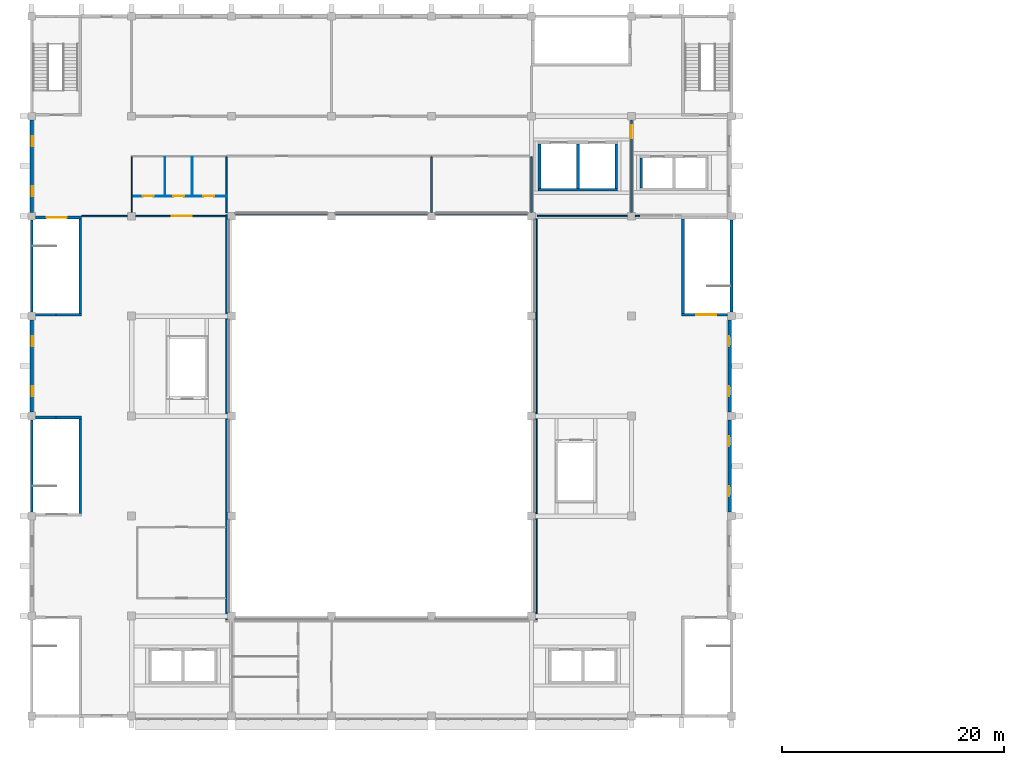
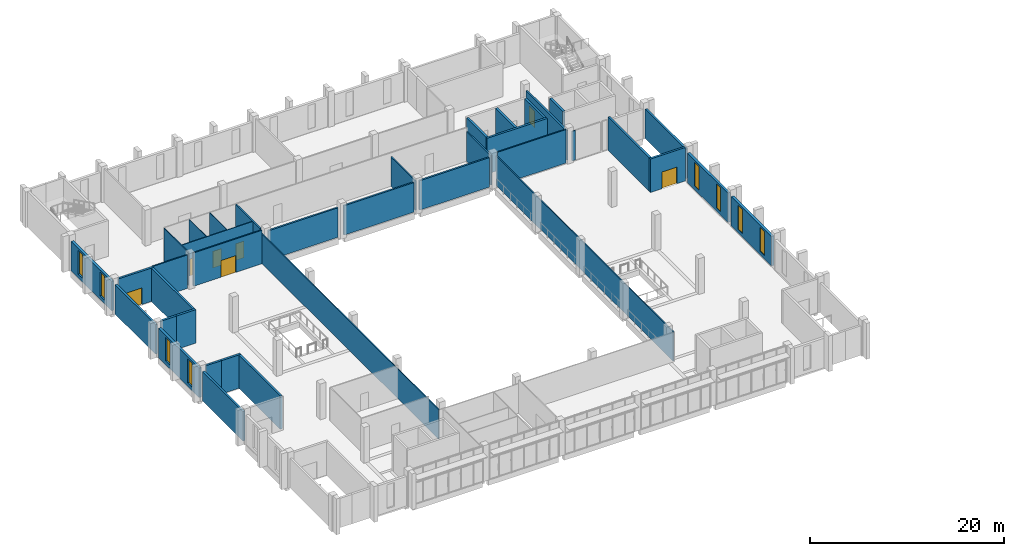
# One storey, part 25 of 40: 38 walls, 8 windows, 7 doors, 15 openings.
"""IFC4 building model written with IfcOpenShell, lengths in metres."""

import ifcopenshell
import ifcopenshell.guid

model = None  # the IFC model being written
_history = None  # IfcOwnerHistory: only IFC2X3 demands one
_inside = {}  # id of a spatial element -> (the spatial element, [elements in it])
_under = {}  # id of a project, library or spatial element -> (it, [spatial elements below it])
_declared = {}  # id of a project -> (the project, [libraries it declares])
_typed = {}  # id of a type object -> (the type object, [elements of that type])
_made_of = {}  # id of a material, layer set ... -> (it, [elements and type objects made of it])


def new_model(schema):
    """Start an empty IFC model of exactly this schema.

    Asked for "IFC4X3", IfcOpenShell would pick the latest addendum, in which some entities
    have other attributes; the version numbers below select the first issue.
    IFC2X3 requires an IfcOwnerHistory on every rooted entity: one is made here for all.
    """
    global model, _history
    if schema == "IFC4X3":
        model = ifcopenshell.file(schema_version=(4, 3, 0, 0))
    else:
        model = ifcopenshell.file(schema=schema)
    _inside.clear()
    _under.clear()
    _declared.clear()
    _typed.clear()
    _made_of.clear()
    _history = None
    if model.schema == "IFC2X3":
        org = make("IfcOrganization", Name="unknown")
        user = make(
            "IfcPersonAndOrganization",
            ThePerson=make("IfcPerson", FamilyName="unknown"),
            TheOrganization=org,
        )
        app = make(
            "IfcApplication",
            ApplicationDeveloper=org,
            Version="unknown",
            ApplicationFullName="unknown",
            ApplicationIdentifier="unknown",
        )
        _history = make(
            "IfcOwnerHistory",
            OwningUser=user,
            OwningApplication=app,
            ChangeAction="ADDED",
            CreationDate=0,
        )
    return model


def make(cls, **values):
    """One entity of the class cls with the attributes given. An attribute that is None is left unset."""
    return model.create_entity(
        cls, **{name: value for name, value in values.items() if value is not None}
    )


def rooted(cls, **values):
    """An entity with a GlobalId (a new one), such as an element, a storey or a relation."""
    return make(cls, GlobalId=ifcopenshell.guid.new(), OwnerHistory=_history, **values)


def si_unit(unit_type, name, prefix=None):
    """IfcSIUnit, for example si_unit("LENGTHUNIT", "METRE", prefix="MILLI")."""
    return make("IfcSIUnit", UnitType=unit_type, Prefix=prefix, Name=name)


def assignment(units):
    """IfcUnitAssignment: the units of a project."""
    return None if units is None else make("IfcUnitAssignment", Units=units)


def point(xyz):
    """IfcCartesianPoint."""
    return None if xyz is None else make("IfcCartesianPoint", Coordinates=xyz)


def direction(xyz):
    """IfcDirection."""
    return None if xyz is None else make("IfcDirection", DirectionRatios=xyz)


def frame(location, z_axis=None, x_axis=None):
    """IfcAxis2Placement3D, a coordinate frame: its origin and axes. An axis left out is left unset."""
    return make(
        "IfcAxis2Placement3D",
        Location=point(location),
        Axis=direction(z_axis),
        RefDirection=direction(x_axis),
    )


def frame_2d(location, x_axis=None):
    """IfcAxis2Placement2D, a coordinate frame in the plane: its origin and x axis."""
    return make(
        "IfcAxis2Placement2D", Location=point(location), RefDirection=direction(x_axis)
    )


def origin():
    """The frame at (0, 0, 0) with its axes left unset."""
    return frame((0.0, 0.0, 0.0))


def place(relative_to, where):
    """IfcLocalPlacement: puts the frame where relative to a parent placement (None: the world)."""
    return make(
        "IfcLocalPlacement", PlacementRelTo=relative_to, RelativePlacement=where
    )


def context(
    kind, dimensions, precision=None, world=None, true_north=None, identifier=None
):
    """IfcGeometricRepresentationContext, for example the 3D "Model" context."""
    return make(
        "IfcGeometricRepresentationContext",
        ContextIdentifier=identifier,
        ContextType=kind,
        CoordinateSpaceDimension=dimensions,
        Precision=precision,
        WorldCoordinateSystem=world,
        TrueNorth=true_north,
    )


def subcontext(parent, identifier, kind, view, scale=None):
    """IfcGeometricRepresentationSubContext, for example "Body" below "Model"."""
    return make(
        "IfcGeometricRepresentationSubContext",
        ContextIdentifier=identifier,
        ContextType=kind,
        ParentContext=parent,
        TargetScale=scale,
        TargetView=view,
    )


def project(units=None, contexts=None):
    """IfcProject with its units and contexts."""
    return rooted(
        "IfcProject",
        Name="project",
        RepresentationContexts=contexts,
        UnitsInContext=assignment(units),
    )


def spatial(cls, under=None, at=None, **own):
    """A site, building, storey or space (cls), placed at a placement, below another one or the project."""
    s = rooted(cls, ObjectPlacement=at, **own)
    if under is not None:
        _under.setdefault(under.id(), (under, []))[1].append(s)
    return s


def profile(cls, at=None, kind="AREA", **sizes):
    """A parametric profile (cls). Its sizes go by their IFC names, for example OverallWidth=200.0."""
    return make(cls, ProfileType=kind, Position=at, **sizes)


def rectangle(**sizes):
    """IfcRectangleProfileDef."""
    return profile("IfcRectangleProfileDef", **sizes)


def extrude(swept, where, along, depth):
    """IfcExtrudedAreaSolid: the profile swept, set in the frame where, extruded along a direction by depth."""
    return make(
        "IfcExtrudedAreaSolid",
        SweptArea=swept,
        Position=where,
        ExtrudedDirection=direction(along),
        Depth=depth,
    )


def shape(context_of_items, identifier, shape_type, items):
    """IfcShapeRepresentation: the items that make up one representation, for example the "Body"."""
    return make(
        "IfcShapeRepresentation",
        ContextOfItems=context_of_items,
        RepresentationIdentifier=identifier,
        RepresentationType=shape_type,
        Items=items,
    )


def material(Name=None, Category=None):
    """IfcMaterial."""
    return make("IfcMaterial", Name=Name, Category=Category)


def layer(
    of_material, thickness, ventilated=None, Name=None, Category=None, Priority=None
):
    """IfcMaterialLayer: one layer of a wall or slab, of a material (None: an air gap)."""
    return make(
        "IfcMaterialLayer",
        Material=of_material,
        LayerThickness=thickness,
        IsVentilated=ventilated,
        Name=Name,
        Category=Category,
        Priority=Priority,
    )


def layer_set(layers, Name=None):
    """IfcMaterialLayerSet."""
    return make("IfcMaterialLayerSet", MaterialLayers=layers, LayerSetName=Name)


def made_of(thing, what):
    """Note that an element or type object is made of a material, layer set ...; save() writes the relation."""
    if what is not None:
        _made_of.setdefault(what.id(), (what, []))[1].append(thing)
    return thing


def type_object(cls, material=None, **own):
    """A type object (cls), such as IfcWallType, which elements share."""
    return made_of(rooted(cls, **own), material)


def element(
    cls,
    number,
    at=None,
    inside=None,
    cuts=None,
    type_object=None,
    material=None,
    context=None,
    identifier="Body",
    shape_type=None,
    held_by="IfcProductDefinitionShape",
    body=None,
    shapes=None,
    **own,
):
    """One element of the class cls, such as IfcWall. Its Tag is "e" and its number.

    at: its placement. inside: the storey or other place that contains it. cuts: it is an
    opening in that element (IfcRelVoidsElement). A single representation is given by context,
    identifier, shape_type and body (its items); several are given by shapes. held_by: the class
    of the entity that holds the representations. save() writes the other relations.
    """
    e = rooted(cls, Tag="e%d" % number, ObjectPlacement=at, **own)
    if body is not None:
        shapes = [shape(context, identifier, shape_type, body)]
    if shapes is not None:
        e.Representation = make(held_by, Representations=shapes)
    if inside is not None:
        _inside.setdefault(inside.id(), (inside, []))[1].append(e)
    if cuts is not None:
        rooted(
            "IfcRelVoidsElement", RelatingBuildingElement=cuts, RelatedOpeningElement=e
        )
    if type_object is not None:
        _typed.setdefault(type_object.id(), (type_object, []))[1].append(e)
    return made_of(e, material)


def fill(opening, filler):
    """IfcRelFillsElement: the door or window that sits in an opening."""
    return rooted(
        "IfcRelFillsElement",
        RelatingOpeningElement=opening,
        RelatedBuildingElement=filler,
    )


def aggregate(whole, parts):
    """IfcRelAggregates: a whole, such as a stair, and the parts it consists of."""
    return rooted("IfcRelAggregates", RelatingObject=whole, RelatedObjects=parts)


def save(model, path):
    """Write the relations noted so far, then the file.

    IfcRelAggregates (storeys below a building ...), IfcRelContainedInSpatialStructure (elements
    in a storey), IfcRelDefinesByType, IfcRelAssociatesMaterial and IfcRelDeclares: one each for
    every whole, place, type object, material and project.
    """
    for whole, parts in _under.values():
        aggregate(whole, parts)
    for where, things in _inside.values():
        rooted(
            "IfcRelContainedInSpatialStructure",
            RelatedElements=things,
            RelatingStructure=where,
        )
    for kind, things in _typed.values():
        rooted("IfcRelDefinesByType", RelatedObjects=things, RelatingType=kind)
    for what, things in _made_of.values():
        rooted("IfcRelAssociatesMaterial", RelatedObjects=things, RelatingMaterial=what)
    for by, libraries in _declared.values():
        rooted("IfcRelDeclares", RelatingContext=by, RelatedDefinitions=libraries)
    model.write(path)


model = new_model("IFC4")

# Units and contexts
model_context = context("Model", 3, precision=1e-05, world=origin(), true_north=direction((0.0, 1.0)))
body_context = subcontext(model_context, "Body", "Model", "MODEL_VIEW")
ifc_project = project(units=[si_unit("LENGTHUNIT", "METRE"), si_unit("AREAUNIT", "SQUARE_METRE"), si_unit("VOLUMEUNIT", "CUBIC_METRE"), si_unit("PLANEANGLEUNIT", "RADIAN"), si_unit("MASSUNIT", "GRAM", prefix="KILO")], contexts=[model_context])

# Site, building, storey
site_placement = place(None, origin())
site = spatial("IfcSite", under=ifc_project, at=site_placement, CompositionType="ELEMENT")
building_placement = place(site_placement, origin())
building = spatial("IfcBuilding", under=site, at=building_placement, Name="Guidao Yard Department Store", CompositionType="ELEMENT")
storey_placement = place(building_placement, frame((0.0, 0.0, 24.0)))
storey = spatial("IfcBuildingStorey", under=building, at=storey_placement, Name="L05", CompositionType="ELEMENT", Elevation=24.0)

# Wall, openings, doors
ifc_material_1 = material(Name="Moisture-resistant board on Steel Q235 studs", Category="steel")
ifc_layer_1 = layer(ifc_material_1, 0.080078125)
ifc_layer_set_1 = layer_set([ifc_layer_1], Name="Cubicle and Duct Partition P8 80 mm moisture-resistant board")
wall_type_1 = type_object("IfcWallType", Name="Cubicle and Duct Partition P8 80 mm moisture-resistant board", PredefinedType="PARTITIONING", material=ifc_layer_set_1)
wall_1_placement = place(storey_placement, frame((9.050048828125, 91.800048828125, 0.0), z_axis=(0.0, 0.0, 1.0), x_axis=(1.0, 0.0, 0.0)))
wall_1 = element("IfcWall", 1, at=wall_1_placement, inside=storey, type_object=wall_type_1, Name="Wall W-HL05-026", PredefinedType="PARTITIONING", context=body_context, shape_type="SweptSolid", body=[
    extrude(rectangle(XDim=8.425048828125, YDim=0.080078125, at=frame_2d((4.21240234375, 0.0))), origin(), (0.0, 0.0, 1.0), 4.199951171875),
])
opening_1_placement = place(wall_1_placement, frame((0.949951171875, 0.0, 0.0)))
opening_1 = element("IfcOpeningElement", 2, at=opening_1_placement, cuts=wall_1, Name="Opening HL05-008", PredefinedType="OPENING", context=body_context, shape_type="SweptSolid", body=[
    extrude(rectangle(XDim=1.0, YDim=2.10009765625, at=frame_2d((0.5, 1.050048828125))), frame((0.0, 0.050048828125, 0.0), z_axis=(0.0, -1.0, 0.0), x_axis=(1.0, 0.0, 0.0)), (0.0, 0.0, 1.0), 0.10009765625),
])
opening_2_placement = place(wall_1_placement, frame((3.675048828125, 0.0, 0.0)))
opening_2 = element("IfcOpeningElement", 3, at=opening_2_placement, cuts=wall_1, Name="Opening HL05-009", PredefinedType="OPENING", context=body_context, shape_type="SweptSolid", body=[
    extrude(rectangle(XDim=1.0, YDim=2.10009765625, at=frame_2d((0.5, 1.050048828125))), frame((0.0, 0.050048828125, 0.0), z_axis=(0.0, -1.0, 0.0), x_axis=(1.0, 0.0, 0.0)), (0.0, 0.0, 1.0), 0.10009765625),
])
opening_3_placement = place(wall_1_placement, frame((6.39990234375, 0.0, 0.0)))
opening_3 = element("IfcOpeningElement", 4, at=opening_3_placement, cuts=wall_1, Name="Opening HL05-010", PredefinedType="OPENING", context=body_context, shape_type="SweptSolid", body=[
    extrude(rectangle(XDim=1.0, YDim=2.10009765625, at=frame_2d((0.5, 1.050048828125))), frame((0.0, 0.050048828125, 0.0), z_axis=(0.0, -1.0, 0.0), x_axis=(1.0, 0.0, 0.0)), (0.0, 0.0, 1.0), 0.10009765625),
])
ifc_material_2 = material(Name="Timber door leaf", Category="wood")
door_type_1 = type_object("IfcDoorType", Name="Door AD10 accessible WC 1000 x 2100", OperationType="SINGLE_SWING_LEFT", PredefinedType="DOOR", material=ifc_material_2)
door_1_placement = place(opening_2_placement, origin())
door_1 = element("IfcDoor", 5, at=door_1_placement, inside=storey, type_object=door_type_1, Name="Door HL05-009", OperationType="SINGLE_SWING_LEFT", OverallHeight=2.10009765625, OverallWidth=1.0, PredefinedType="DOOR", context=body_context, shape_type="SweptSolid", body=[
    extrude(rectangle(XDim=1.0, YDim=2.10009765625, at=frame_2d((0.5, 1.050048828125))), frame((0.0, 0.02490234375, 0.0), z_axis=(0.0, -1.0, 0.0), x_axis=(1.0, 0.0, 0.0)), (0.0, 0.0, 1.0), 0.050048828125),
])
fill(opening_2, door_1)
ifc_material_3 = material(Name="Timber door leaf", Category="wood")
door_type_2 = type_object("IfcDoorType", Name="Door D2 1000 x 2100", OperationType="SINGLE_SWING_LEFT", PredefinedType="DOOR", material=ifc_material_3)
door_2_placement = place(opening_1_placement, origin())
door_2 = element("IfcDoor", 6, at=door_2_placement, inside=storey, type_object=door_type_2, Name="Door HL05-008", OperationType="SINGLE_SWING_LEFT", OverallHeight=2.10009765625, OverallWidth=1.0, PredefinedType="DOOR", context=body_context, shape_type="SweptSolid", body=[
    extrude(rectangle(XDim=1.0, YDim=2.10009765625, at=frame_2d((0.5, 1.050048828125))), frame((0.0, 0.02490234375, 0.0), z_axis=(0.0, -1.0, 0.0), x_axis=(1.0, 0.0, 0.0)), (0.0, 0.0, 1.0), 0.050048828125),
])
fill(opening_1, door_2)
door_3_placement = place(opening_3_placement, origin())
door_3 = element("IfcDoor", 7, at=door_3_placement, inside=storey, type_object=door_type_2, Name="Door HL05-010", OperationType="SINGLE_SWING_RIGHT", OverallHeight=2.10009765625, OverallWidth=1.0, PredefinedType="DOOR", context=body_context, shape_type="SweptSolid", body=[
    extrude(rectangle(XDim=1.0, YDim=2.10009765625, at=frame_2d((0.5, 1.050048828125))), frame((0.0, 0.02490234375, 0.0), z_axis=(0.0, -1.0, 0.0), x_axis=(1.0, 0.0, 0.0)), (0.0, 0.0, 1.0), 0.050048828125),
])
fill(opening_3, door_3)

# Walls
for number, where, z_axis, x_axis, name in (
    (8, (12.0, 91.840087890625, 0.0), (0.0, 0.0, 1.0), (0.0, 1.0, 0.0), "Wall W-HL05-027"),
    (9, (14.449951171875, 91.840087890625, 0.0), (0.0, 0.0, 1.0), (0.0, 1.0, 0.0), "Wall W-HL05-028"),
):
    element("IfcWall", number, at=place(storey_placement, frame(where, z_axis=z_axis, x_axis=x_axis)), inside=storey, type_object=wall_type_1, Name=name, PredefinedType="PARTITIONING", context=body_context, shape_type="SweptSolid", body=[
        extrude(rectangle(XDim=3.510009765625, YDim=0.080078125, at=frame_2d((1.7548828125, 0.0))), origin(), (0.0, 0.0, 1.0), 4.199951171875),
    ])
ifc_material_4 = material(Name="Concrete block MU10", Category="concrete")
ifc_layer_2 = layer(ifc_material_4, 0.199951171875)
ifc_layer_set_2 = layer_set([ifc_layer_2], Name="Fire Wall P3 200 mm blockwork EI 120")
wall_type_2 = type_object("IfcWallType", Name="Fire Wall P3 200 mm blockwork EI 120", PredefinedType="PARTITIONING", material=ifc_layer_set_2)
for number, where, z_axis, x_axis, name in (
    (10, (18.35009765625, 90.22509765625, 0.0), (0.0, 0.0, 1.0), (1.0, 0.0, 0.0), "Wall W-HL05-018"),
    (11, (27.35009765625, 90.22509765625, 0.0), (0.0, 0.0, 1.0), (1.0, 0.0, 0.0), "Wall W-HL05-019"),
    (12, (36.35009765625, 90.22509765625, 0.0), (0.0, 0.0, 1.0), (1.0, 0.0, 0.0), "Wall W-HL05-020"),
):
    element("IfcWall", number, at=place(storey_placement, frame(where, z_axis=z_axis, x_axis=x_axis)), inside=storey, type_object=wall_type_2, Name=name, PredefinedType="PARTITIONING", context=body_context, shape_type="SweptSolid", body=[
        extrude(rectangle(XDim=8.2998046875, YDim=0.199951171875, at=frame_2d((4.14990234375, 0.0))), origin(), (0.0, 0.0, 1.0), 3.699951171875),
    ])

# Wall, opening, door
wall_2_placement = place(storey_placement, frame((54.0, 90.35009765625, 0.0), z_axis=(0.0, 0.0, 1.0), x_axis=(0.0, 1.0, 0.0)))
wall_2 = element("IfcWall", 13, at=wall_2_placement, inside=storey, type_object=wall_type_2, Name="Wall W-HL05-025", PredefinedType="PARTITIONING", context=body_context, shape_type="SweptSolid", body=[
    extrude(rectangle(XDim=8.2998046875, YDim=0.199951171875, at=frame_2d((4.14990234375, 0.0))), origin(), (0.0, 0.0, 1.0), 3.699951171875),
])
opening_4_placement = place(wall_2_placement, frame((7.849853515625, 0.0, 0.0), z_axis=(0.0, 0.0, 1.0), x_axis=(-1.0, 0.0, 0.0)))
opening_4 = element("IfcOpeningElement", 14, at=opening_4_placement, cuts=wall_2, Name="Opening HL05-013", PredefinedType="OPENING", context=body_context, shape_type="SweptSolid", body=[
    extrude(rectangle(XDim=1.199951171875, YDim=2.10009765625, at=frame_2d((0.60009765625, 1.050048828125))), frame((0.0, 0.10986328125, 0.0), z_axis=(0.0, -1.0, 0.0), x_axis=(1.0, 0.0, 0.0)), (0.0, 0.0, 1.0), 0.219970703125),
])
ifc_material_5 = material(Name="Steel Q235", Category="steel")
door_type_3 = type_object("IfcDoorType", Name="Door FD21 lobby 1200 x 2100 FD90 self-closing", OperationType="SINGLE_SWING_LEFT", PredefinedType="DOOR", material=ifc_material_5)
door_4_placement = place(opening_4_placement, origin())
door_4 = element("IfcDoor", 15, at=door_4_placement, inside=storey, type_object=door_type_3, Name="Door HL05-013", OperationType="SINGLE_SWING_LEFT", OverallHeight=2.10009765625, OverallWidth=1.199951171875, PredefinedType="DOOR", context=body_context, shape_type="SweptSolid", body=[
    extrude(rectangle(XDim=1.199951171875, YDim=2.10009765625, at=frame_2d((0.60009765625, 1.050048828125))), frame((0.0, 0.02490234375, 0.0), z_axis=(0.0, -1.0, 0.0), x_axis=(1.0, 0.0, 0.0)), (0.0, 0.0, 1.0), 0.050048828125),
])
fill(opening_4, door_4)

# Walls
ifc_material_6 = material(Name="Fire-rated glazing in Steel Q235 frame", Category="steel")
ifc_layer_3 = layer(ifc_material_6, 0.1201171875)
ifc_layer_set_3 = layer_set([ifc_layer_3], Name="Fire-Glazed Screen P5 120 mm EI 60")
wall_type_3 = type_object("IfcWallType", Name="Fire-Glazed Screen P5 120 mm EI 60", PredefinedType="PARTITIONING", material=ifc_layer_set_3)
for number, where, z_axis, x_axis, name in (
    (16, (17.550048828125, 53.610107421875, 0.0), (0.0, 0.0, 1.0), (0.0, 1.0, 0.0), "Wall W-HL05-007"),
    (17, (45.449951171875, 53.610107421875, 0.0), (0.0, 0.0, 1.0), (0.0, 1.0, 0.0), "Wall W-HL05-008"),
):
    element("IfcWall", number, at=place(storey_placement, frame(where, z_axis=z_axis, x_axis=x_axis)), inside=storey, type_object=wall_type_3, Name=name, PredefinedType="PARTITIONING", context=body_context, shape_type="SweptSolid", body=[
        extrude(rectangle(XDim=36.514892578125, YDim=0.1201171875, at=frame_2d((18.25732421875, 0.0))), origin(), (0.0, 0.0, 1.0), 3.699951171875),
    ])

# Wall, openings, windows
ifc_material_7 = material(Name="Concrete C35", Category="concrete")
ifc_layer_4 = layer(ifc_material_7, 0.300048828125)
ifc_layer_set_4 = layer_set([ifc_layer_4], Name="Hall facade wall 300 C35")
wall_type_4 = type_object("IfcWallType", Name="Hall facade wall 300 C35", PredefinedType="SOLIDWALL", material=ifc_layer_set_4)
wall_3_placement = place(storey_placement, frame((0.0, 72.35009765625, 0.0), z_axis=(0.0, 0.0, 1.0), x_axis=(0.0, 1.0, 0.0)))
wall_3 = element("IfcWall", 18, at=wall_3_placement, inside=storey, type_object=wall_type_4, Name="Hall facade wall", PredefinedType="SOLIDWALL", context=body_context, shape_type="SweptSolid", body=[
    extrude(rectangle(XDim=8.2998046875, YDim=0.300048828125, at=frame_2d((4.14990234375, 0.0))), origin(), (0.0, 0.0, 1.0), 3.699951171875),
])
opening_5_placement = place(wall_3_placement, frame((1.449951171875, 0.0, 0.449951171875)))
opening_5 = element("IfcOpeningElement", 19, at=opening_5_placement, cuts=wall_3, Name="Opening WN-L05-E05", PredefinedType="OPENING", context=body_context, shape_type="SweptSolid", body=[
    extrude(rectangle(XDim=0.89990234375, YDim=3.0, at=frame_2d((0.449951171875, 1.5))), frame((0.0, 0.159912109375, 0.0), z_axis=(0.0, -1.0, 0.0), x_axis=(1.0, 0.0, 0.0)), (0.0, 0.0, 1.0), 0.320068359375),
])
opening_6_placement = place(wall_3_placement, frame((5.949951171875, 0.0, 0.449951171875)))
opening_6 = element("IfcOpeningElement", 20, at=opening_6_placement, cuts=wall_3, Name="Opening WN-L05-E06", PredefinedType="OPENING", context=body_context, shape_type="SweptSolid", body=[
    extrude(rectangle(XDim=0.89990234375, YDim=3.0, at=frame_2d((0.449951171875, 1.5))), frame((0.0, 0.159912109375, 0.0), z_axis=(0.0, -1.0, 0.0), x_axis=(1.0, 0.0, 0.0)), (0.0, 0.0, 1.0), 0.320068359375),
])
ifc_material_8 = material(Name="Laminated glass in aluminium frame", Category="aluminium")
window_type = type_object("IfcWindowType", Name="Slot window SL1 900 x 3000 fixed", PartitioningType="SINGLE_PANEL", PredefinedType="WINDOW", material=ifc_material_8)
window_1_placement = place(opening_5_placement, origin())
window_1 = element("IfcWindow", 21, at=window_1_placement, inside=storey, type_object=window_type, Name="Slot window", OverallHeight=3.0, OverallWidth=0.89990234375, PartitioningType="SINGLE_PANEL", PredefinedType="WINDOW", context=body_context, shape_type="SweptSolid", body=[
    extrude(rectangle(XDim=0.89990234375, YDim=3.0, at=frame_2d((0.449951171875, 1.5))), frame((0.0, -0.030029296875, 0.0), z_axis=(0.0, -1.0, 0.0), x_axis=(1.0, 0.0, 0.0)), (0.0, 0.0, 1.0), 0.06005859375),
])
fill(opening_5, window_1)
window_2_placement = place(opening_6_placement, origin())
window_2 = element("IfcWindow", 22, at=window_2_placement, inside=storey, type_object=window_type, Name="Slot window", OverallHeight=3.0, OverallWidth=0.89990234375, PartitioningType="SINGLE_PANEL", PredefinedType="WINDOW", context=body_context, shape_type="SweptSolid", body=[
    extrude(rectangle(XDim=0.89990234375, YDim=3.0, at=frame_2d((0.449951171875, 1.5))), frame((0.0, -0.030029296875, 0.0), z_axis=(0.0, -1.0, 0.0), x_axis=(1.0, 0.0, 0.0)), (0.0, 0.0, 1.0), 0.06005859375),
])
fill(opening_6, window_2)

wall_4_placement = place(storey_placement, frame((0.0, 90.35009765625, 0.0), z_axis=(0.0, 0.0, 1.0), x_axis=(0.0, 1.0, 0.0)))
wall_4 = element("IfcWall", 23, at=wall_4_placement, inside=storey, type_object=wall_type_4, Name="Hall facade wall", PredefinedType="SOLIDWALL", context=body_context, shape_type="SweptSolid", body=[
    extrude(rectangle(XDim=8.2998046875, YDim=0.300048828125, at=frame_2d((4.14990234375, 0.0))), origin(), (0.0, 0.0, 1.0), 3.699951171875),
])
opening_7_placement = place(wall_4_placement, frame((1.449951171875, 0.0, 0.449951171875)))
opening_7 = element("IfcOpeningElement", 24, at=opening_7_placement, cuts=wall_4, Name="Opening WN-L05-E07", PredefinedType="OPENING", context=body_context, shape_type="SweptSolid", body=[
    extrude(rectangle(XDim=0.89990234375, YDim=3.0, at=frame_2d((0.449951171875, 1.5))), frame((0.0, 0.159912109375, 0.0), z_axis=(0.0, -1.0, 0.0), x_axis=(1.0, 0.0, 0.0)), (0.0, 0.0, 1.0), 0.320068359375),
])
opening_8_placement = place(wall_4_placement, frame((5.949951171875, 0.0, 0.449951171875)))
opening_8 = element("IfcOpeningElement", 25, at=opening_8_placement, cuts=wall_4, Name="Opening WN-L05-E08", PredefinedType="OPENING", context=body_context, shape_type="SweptSolid", body=[
    extrude(rectangle(XDim=0.89990234375, YDim=3.0, at=frame_2d((0.449951171875, 1.5))), frame((0.0, 0.159912109375, 0.0), z_axis=(0.0, -1.0, 0.0), x_axis=(1.0, 0.0, 0.0)), (0.0, 0.0, 1.0), 0.320068359375),
])
window_3_placement = place(opening_7_placement, origin())
window_3 = element("IfcWindow", 26, at=window_3_placement, inside=storey, type_object=window_type, Name="Slot window", OverallHeight=3.0, OverallWidth=0.89990234375, PartitioningType="SINGLE_PANEL", PredefinedType="WINDOW", context=body_context, shape_type="SweptSolid", body=[
    extrude(rectangle(XDim=0.89990234375, YDim=3.0, at=frame_2d((0.449951171875, 1.5))), frame((0.0, -0.030029296875, 0.0), z_axis=(0.0, -1.0, 0.0), x_axis=(1.0, 0.0, 0.0)), (0.0, 0.0, 1.0), 0.06005859375),
])
fill(opening_7, window_3)
window_4_placement = place(opening_8_placement, origin())
window_4 = element("IfcWindow", 27, at=window_4_placement, inside=storey, type_object=window_type, Name="Slot window", OverallHeight=3.0, OverallWidth=0.89990234375, PartitioningType="SINGLE_PANEL", PredefinedType="WINDOW", context=body_context, shape_type="SweptSolid", body=[
    extrude(rectangle(XDim=0.89990234375, YDim=3.0, at=frame_2d((0.449951171875, 1.5))), frame((0.0, -0.030029296875, 0.0), z_axis=(0.0, -1.0, 0.0), x_axis=(1.0, 0.0, 0.0)), (0.0, 0.0, 1.0), 0.06005859375),
])
fill(opening_8, window_4)

wall_5_placement = place(storey_placement, frame((62.85009765625, 71.64990234375, 0.0), z_axis=(0.0, 0.0, 1.0), x_axis=(0.0, -1.0, 0.0)))
wall_5 = element("IfcWall", 28, at=wall_5_placement, inside=storey, type_object=wall_type_4, Name="Hall facade wall", PredefinedType="SOLIDWALL", context=body_context, shape_type="SweptSolid", body=[
    extrude(rectangle(XDim=8.2998046875, YDim=0.300048828125, at=frame_2d((4.14990234375, 0.0))), origin(), (0.0, 0.0, 1.0), 3.699951171875),
])
opening_9_placement = place(wall_5_placement, frame((5.949951171875, 0.0, 0.449951171875)))
opening_9 = element("IfcOpeningElement", 29, at=opening_9_placement, cuts=wall_5, Name="Opening WN-L05-E21", PredefinedType="OPENING", context=body_context, shape_type="SweptSolid", body=[
    extrude(rectangle(XDim=0.89990234375, YDim=3.0, at=frame_2d((0.449951171875, 1.5))), frame((0.0, 0.159912109375, 0.0), z_axis=(0.0, -1.0, 0.0), x_axis=(1.0, 0.0, 0.0)), (0.0, 0.0, 1.0), 0.320068359375),
])
opening_10_placement = place(wall_5_placement, frame((1.449951171875, 0.0, 0.449951171875)))
opening_10 = element("IfcOpeningElement", 30, at=opening_10_placement, cuts=wall_5, Name="Opening WN-L05-E22", PredefinedType="OPENING", context=body_context, shape_type="SweptSolid", body=[
    extrude(rectangle(XDim=0.89990234375, YDim=3.0, at=frame_2d((0.449951171875, 1.5))), frame((0.0, 0.159912109375, 0.0), z_axis=(0.0, -1.0, 0.0), x_axis=(1.0, 0.0, 0.0)), (0.0, 0.0, 1.0), 0.320068359375),
])
window_5_placement = place(opening_9_placement, origin())
window_5 = element("IfcWindow", 31, at=window_5_placement, inside=storey, type_object=window_type, Name="Slot window", OverallHeight=3.0, OverallWidth=0.89990234375, PartitioningType="SINGLE_PANEL", PredefinedType="WINDOW", context=body_context, shape_type="SweptSolid", body=[
    extrude(rectangle(XDim=0.89990234375, YDim=3.0, at=frame_2d((0.449951171875, 1.5))), frame((0.0, -0.030029296875, 0.0), z_axis=(0.0, -1.0, 0.0), x_axis=(1.0, 0.0, 0.0)), (0.0, 0.0, 1.0), 0.06005859375),
])
fill(opening_9, window_5)
window_6_placement = place(opening_10_placement, origin())
window_6 = element("IfcWindow", 32, at=window_6_placement, inside=storey, type_object=window_type, Name="Slot window", OverallHeight=3.0, OverallWidth=0.89990234375, PartitioningType="SINGLE_PANEL", PredefinedType="WINDOW", context=body_context, shape_type="SweptSolid", body=[
    extrude(rectangle(XDim=0.89990234375, YDim=3.0, at=frame_2d((0.449951171875, 1.5))), frame((0.0, -0.030029296875, 0.0), z_axis=(0.0, -1.0, 0.0), x_axis=(1.0, 0.0, 0.0)), (0.0, 0.0, 1.0), 0.06005859375),
])
fill(opening_10, window_6)

wall_6_placement = place(storey_placement, frame((62.85009765625, 80.64990234375, 0.0), z_axis=(0.0, 0.0, 1.0), x_axis=(0.0, -1.0, 0.0)))
wall_6 = element("IfcWall", 33, at=wall_6_placement, inside=storey, type_object=wall_type_4, Name="Hall facade wall", PredefinedType="SOLIDWALL", context=body_context, shape_type="SweptSolid", body=[
    extrude(rectangle(XDim=8.2998046875, YDim=0.300048828125, at=frame_2d((4.14990234375, 0.0))), origin(), (0.0, 0.0, 1.0), 3.699951171875),
])
opening_11_placement = place(wall_6_placement, frame((5.949951171875, 0.0, 0.449951171875)))
opening_11 = element("IfcOpeningElement", 34, at=opening_11_placement, cuts=wall_6, Name="Opening WN-L05-E23", PredefinedType="OPENING", context=body_context, shape_type="SweptSolid", body=[
    extrude(rectangle(XDim=0.89990234375, YDim=3.0, at=frame_2d((0.449951171875, 1.5))), frame((0.0, 0.159912109375, 0.0), z_axis=(0.0, -1.0, 0.0), x_axis=(1.0, 0.0, 0.0)), (0.0, 0.0, 1.0), 0.320068359375),
])
opening_12_placement = place(wall_6_placement, frame((1.449951171875, 0.0, 0.449951171875)))
opening_12 = element("IfcOpeningElement", 35, at=opening_12_placement, cuts=wall_6, Name="Opening WN-L05-E24", PredefinedType="OPENING", context=body_context, shape_type="SweptSolid", body=[
    extrude(rectangle(XDim=0.89990234375, YDim=3.0, at=frame_2d((0.449951171875, 1.5))), frame((0.0, 0.159912109375, 0.0), z_axis=(0.0, -1.0, 0.0), x_axis=(1.0, 0.0, 0.0)), (0.0, 0.0, 1.0), 0.320068359375),
])
window_7_placement = place(opening_11_placement, origin())
window_7 = element("IfcWindow", 36, at=window_7_placement, inside=storey, type_object=window_type, Name="Slot window", OverallHeight=3.0, OverallWidth=0.89990234375, PartitioningType="SINGLE_PANEL", PredefinedType="WINDOW", context=body_context, shape_type="SweptSolid", body=[
    extrude(rectangle(XDim=0.89990234375, YDim=3.0, at=frame_2d((0.449951171875, 1.5))), frame((0.0, -0.030029296875, 0.0), z_axis=(0.0, -1.0, 0.0), x_axis=(1.0, 0.0, 0.0)), (0.0, 0.0, 1.0), 0.06005859375),
])
fill(opening_11, window_7)
window_8_placement = place(opening_12_placement, origin())
window_8 = element("IfcWindow", 37, at=window_8_placement, inside=storey, type_object=window_type, Name="Slot window", OverallHeight=3.0, OverallWidth=0.89990234375, PartitioningType="SINGLE_PANEL", PredefinedType="WINDOW", context=body_context, shape_type="SweptSolid", body=[
    extrude(rectangle(XDim=0.89990234375, YDim=3.0, at=frame_2d((0.449951171875, 1.5))), frame((0.0, -0.030029296875, 0.0), z_axis=(0.0, -1.0, 0.0), x_axis=(1.0, 0.0, 0.0)), (0.0, 0.0, 1.0), 0.06005859375),
])
fill(opening_12, window_8)

# Walls
ifc_material_9 = material(Name="Gypsum board on Steel Q235 studs", Category="steel")
ifc_layer_5 = layer(ifc_material_9, 0.10009765625)
ifc_layer_set_5 = layer_set([ifc_layer_5], Name="Partition P1 100 mm gypsum board EI 30")
wall_type_5 = type_object("IfcWallType", Name="Partition P1 100 mm gypsum board EI 30", PredefinedType="PARTITIONING", material=ifc_layer_set_5)
wall_7_placement = place(storey_placement, frame((9.0, 90.35009765625, 0.0), z_axis=(0.0, 0.0, 1.0), x_axis=(0.0, 1.0, 0.0)))
element("IfcWall", 38, at=wall_7_placement, inside=storey, type_object=wall_type_5, Name="Wall W-HL05-022", PredefinedType="PARTITIONING", context=body_context, shape_type="SweptSolid", body=[
    extrude(rectangle(XDim=5.0, YDim=0.10009765625, at=frame_2d((2.5, 0.0))), origin(), (0.0, 0.0, 1.0), 4.199951171875),
])
ifc_material_10 = material(Name="Concrete block MU10", Category="concrete")
ifc_layer_6 = layer(ifc_material_10, 0.14990234375)
ifc_layer_set_6 = layer_set([ifc_layer_6], Name="Wall P2 150 mm blockwork EI 60")
wall_type_6 = type_object("IfcWallType", Name="Wall P2 150 mm blockwork EI 60", PredefinedType="PARTITIONING", material=ifc_layer_set_6)
wall_8_placement = place(storey_placement, frame((4.5, 90.0, 0.0), z_axis=(0.0, 0.0, 1.0), x_axis=(1.0, 0.0, 0.0)))
element("IfcWall", 39, at=wall_8_placement, inside=storey, type_object=wall_type_6, Name="Wall W-HL05-012", PredefinedType="PARTITIONING", context=body_context, shape_type="SweptSolid", body=[
    extrude(rectangle(XDim=4.14990234375, YDim=0.14990234375, at=frame_2d((2.074951171875, 0.0))), origin(), (0.0, 0.0, 1.0), 4.199951171875),
])

# Wall, opening, door
wall_9_placement = place(storey_placement, frame((9.35009765625, 90.0, 0.0), z_axis=(0.0, 0.0, 1.0), x_axis=(1.0, 0.0, 0.0)))
wall_9 = element("IfcWall", 40, at=wall_9_placement, inside=storey, type_object=wall_type_6, Name="Wall W-HL05-013", PredefinedType="PARTITIONING", context=body_context, shape_type="SweptSolid", body=[
    extrude(rectangle(XDim=8.139892578125, YDim=0.14990234375, at=frame_2d((4.06982421875, 0.0))), origin(), (0.0, 0.0, 1.0), 4.199951171875),
])
opening_13_placement = place(wall_9_placement, frame((5.050048828125, 0.0, 0.0), z_axis=(0.0, 0.0, 1.0), x_axis=(-1.0, 0.0, 0.0)))
opening_13 = element("IfcOpeningElement", 41, at=opening_13_placement, cuts=wall_9, Name="Opening HL05-007", PredefinedType="OPENING", context=body_context, shape_type="SweptSolid", body=[
    extrude(rectangle(XDim=1.800048828125, YDim=2.10009765625, at=frame_2d((0.89990234375, 1.050048828125))), frame((0.0, 0.0849609375, 0.0), z_axis=(0.0, -1.0, 0.0), x_axis=(1.0, 0.0, 0.0)), (0.0, 0.0, 1.0), 0.169921875),
])
ifc_material_11 = material(Name="Timber door leaf", Category="wood")
door_type_4 = type_object("IfcDoorType", Name="Door D3 double 1800 x 2100", OperationType="DOUBLE_DOOR_SINGLE_SWING", PredefinedType="DOOR", material=ifc_material_11)
door_5_placement = place(opening_13_placement, origin())
door_5 = element("IfcDoor", 42, at=door_5_placement, inside=storey, type_object=door_type_4, Name="Door HL05-007", OperationType="DOUBLE_DOOR_SINGLE_SWING", OverallHeight=2.10009765625, OverallWidth=1.800048828125, PredefinedType="DOOR", context=body_context, shape_type="SweptSolid", body=[
    extrude(rectangle(XDim=1.800048828125, YDim=2.10009765625, at=frame_2d((0.89990234375, 1.050048828125))), frame((0.0, 0.02490234375, 0.0), z_axis=(0.0, -1.0, 0.0), x_axis=(1.0, 0.0, 0.0)), (0.0, 0.0, 1.0), 0.050048828125),
])
fill(opening_13, door_5)

# Walls
wall_10_placement = place(storey_placement, frame((45.510009765625, 90.0, 0.0), z_axis=(0.0, 0.0, 1.0), x_axis=(1.0, 0.0, 0.0)))
element("IfcWall", 43, at=wall_10_placement, inside=storey, type_object=wall_type_6, Name="Wall W-HL05-014", PredefinedType="PARTITIONING", context=body_context, shape_type="SweptSolid", body=[
    extrude(rectangle(XDim=8.139892578125, YDim=0.14990234375, at=frame_2d((4.06982421875, 0.0))), origin(), (0.0, 0.0, 1.0), 4.199951171875),
])
wall_11_placement = place(storey_placement, frame((54.35009765625, 90.0, 0.0), z_axis=(0.0, 0.0, 1.0), x_axis=(1.0, 0.0, 0.0)))
element("IfcWall", 44, at=wall_11_placement, inside=storey, type_object=wall_type_6, Name="Wall W-HL05-015", PredefinedType="PARTITIONING", context=body_context, shape_type="SweptSolid", body=[
    extrude(rectangle(XDim=0.39990234375, YDim=0.14990234375, at=frame_2d((0.199951171875, 0.0))), origin(), (0.0, 0.0, 1.0), 3.699951171875),
])
wall_12_placement = place(storey_placement, frame((17.550048828125, 90.324951171875, 0.0), z_axis=(0.0, 0.0, 1.0), x_axis=(0.0, 1.0, 0.0)))
element("IfcWall", 45, at=wall_12_placement, inside=storey, type_object=wall_type_6, Name="Wall W-HL05-021", PredefinedType="PARTITIONING", context=body_context, shape_type="SweptSolid", body=[
    extrude(rectangle(XDim=5.0, YDim=0.14990234375, at=frame_2d((2.5, 0.0))), origin(), (0.0, 0.0, 1.0), 4.199951171875),
])
for number, where, z_axis, x_axis, name in (
    (46, (36.0, 90.35009765625, 0.0), (0.0, 0.0, 1.0), (0.0, 1.0, 0.0), "Wall W-HL05-023"),
    (47, (45.0, 90.35009765625, 0.0), (0.0, 0.0, 1.0), (0.0, 1.0, 0.0), "Wall W-HL05-024"),
):
    element("IfcWall", number, at=place(storey_placement, frame(where, z_axis=z_axis, x_axis=x_axis)), inside=storey, type_object=wall_type_6, Name=name, PredefinedType="PARTITIONING", context=body_context, shape_type="SweptSolid", body=[
        extrude(rectangle(XDim=4.974853515625, YDim=0.14990234375, at=frame_2d((2.4873046875, 0.0))), origin(), (0.0, 0.0, 1.0), 3.699951171875),
    ])
ifc_material_12 = material(Name="Concrete C40", Category="concrete")
ifc_layer_7 = layer(ifc_material_12, 0.25)
ifc_layer_set_7 = layer_set([ifc_layer_7], Name="Wall RC 250 C40 stair and shaft")
wall_type_7 = type_object("IfcWallType", Name="Wall RC 250 C40 stair and shaft", PredefinedType="SHEAR", material=ifc_layer_set_7)
wall_13_placement = place(storey_placement, frame((0.35009765625, 71.875, 0.0), z_axis=(0.0, 0.0, 1.0), x_axis=(1.0, 0.0, 0.0)))
element("IfcWall", 48, at=wall_13_placement, inside=storey, type_object=wall_type_7, Name="Stair wall SA1", PredefinedType="SHEAR", context=body_context, shape_type="SweptSolid", body=[
    extrude(rectangle(XDim=1.837890625, YDim=0.25, at=frame_2d((0.9189453125, 0.0))), origin(), (0.0, 0.0, 1.0), 4.199951171875),
])
wall_14_placement = place(storey_placement, frame((2.18798828125, 71.875, 0.0), z_axis=(0.0, 0.0, 1.0), x_axis=(1.0, 0.0, 0.0)))
element("IfcWall", 49, at=wall_14_placement, inside=storey, type_object=wall_type_7, Name="Stair wall SA1", PredefinedType="SHEAR", context=body_context, shape_type="SweptSolid", body=[
    extrude(rectangle(XDim=2.31201171875, YDim=0.25, at=frame_2d((1.156005859375, 0.0))), origin(), (0.0, 0.0, 1.0), 4.199951171875),
])
wall_15_placement = place(storey_placement, frame((0.0, 63.35009765625, 0.0), z_axis=(0.0, 0.0, 1.0), x_axis=(0.0, 1.0, 0.0)))
element("IfcWall", 50, at=wall_15_placement, inside=storey, type_object=wall_type_7, Name="Stair wall SA1", PredefinedType="SHEAR", context=body_context, shape_type="SweptSolid", body=[
    extrude(rectangle(XDim=8.2998046875, YDim=0.25, at=frame_2d((4.14990234375, 0.0))), origin(), (0.0, 0.0, 1.0), 3.699951171875),
])
wall_16_placement = place(storey_placement, frame((4.375, 63.25, 0.0), z_axis=(0.0, 0.0, 1.0), x_axis=(0.0, 1.0, 0.0)))
element("IfcWall", 51, at=wall_16_placement, inside=storey, type_object=wall_type_7, Name="Stair wall SA1", PredefinedType="SHEAR", context=body_context, shape_type="SweptSolid", body=[
    extrude(rectangle(XDim=8.5, YDim=0.25, at=frame_2d((4.25, 0.0))), origin(), (0.0, 0.0, 1.0), 4.199951171875),
])
wall_17_placement = place(storey_placement, frame((0.35009765625, 81.125, 0.0), z_axis=(0.0, 0.0, 1.0), x_axis=(1.0, 0.0, 0.0)))
element("IfcWall", 52, at=wall_17_placement, inside=storey, type_object=wall_type_7, Name="Stair wall SA3", PredefinedType="SHEAR", context=body_context, shape_type="SweptSolid", body=[
    extrude(rectangle(XDim=1.837890625, YDim=0.25, at=frame_2d((0.9189453125, 0.0))), origin(), (0.0, 0.0, 1.0), 4.199951171875),
])
wall_18_placement = place(storey_placement, frame((2.18798828125, 81.125, 0.0), z_axis=(0.0, 0.0, 1.0), x_axis=(1.0, 0.0, 0.0)))
element("IfcWall", 53, at=wall_18_placement, inside=storey, type_object=wall_type_7, Name="Stair wall SA3", PredefinedType="SHEAR", context=body_context, shape_type="SweptSolid", body=[
    extrude(rectangle(XDim=2.31201171875, YDim=0.25, at=frame_2d((1.156005859375, 0.0))), origin(), (0.0, 0.0, 1.0), 4.199951171875),
])

# Wall, opening, door
wall_19_placement = place(storey_placement, frame((0.35009765625, 89.875, 0.0), z_axis=(0.0, 0.0, 1.0), x_axis=(1.0, 0.0, 0.0)))
wall_19 = element("IfcWall", 54, at=wall_19_placement, inside=storey, type_object=wall_type_7, Name="Stair wall SA3", PredefinedType="SHEAR", context=body_context, shape_type="SweptSolid", body=[
    extrude(rectangle(XDim=4.14990234375, YDim=0.25, at=frame_2d((2.074951171875, 0.0))), origin(), (0.0, 0.0, 1.0), 4.199951171875),
])
opening_14_placement = place(wall_19_placement, frame((2.800048828125, 0.0, 0.0), z_axis=(0.0, 0.0, 1.0), x_axis=(-1.0, 0.0, 0.0)))
opening_14 = element("IfcOpeningElement", 55, at=opening_14_placement, cuts=wall_19, Name="Opening L05-802", PredefinedType="OPENING", context=body_context, shape_type="SweptSolid", body=[
    extrude(rectangle(XDim=1.800048828125, YDim=2.10009765625, at=frame_2d((0.89990234375, 1.050048828125))), frame((0.0, 0.135009765625, 0.0), z_axis=(0.0, -1.0, 0.0), x_axis=(1.0, 0.0, 0.0)), (0.0, 0.0, 1.0), 0.27001953125),
])
ifc_material_13 = material(Name="Steel Q235", Category="steel")
door_type_5 = type_object("IfcDoorType", Name="Door fire-resisting 1800 x 2100 FD60", OperationType="DOUBLE_DOOR_SINGLE_SWING", PredefinedType="DOOR", material=ifc_material_13)
door_6_placement = place(opening_14_placement, origin())
door_6 = element("IfcDoor", 56, at=door_6_placement, inside=storey, type_object=door_type_5, Name="Stair A3 door L05", OperationType="DOUBLE_DOOR_SINGLE_SWING", OverallHeight=2.10009765625, OverallWidth=1.800048828125, PredefinedType="DOOR", context=body_context, shape_type="SweptSolid", body=[
    extrude(rectangle(XDim=1.800048828125, YDim=2.10009765625, at=frame_2d((0.89990234375, 1.050048828125))), frame((0.0, 0.02490234375, 0.0), z_axis=(0.0, -1.0, 0.0), x_axis=(1.0, 0.0, 0.0)), (0.0, 0.0, 1.0), 0.050048828125),
])
fill(opening_14, door_6)

# Walls
wall_20_placement = place(storey_placement, frame((0.0, 81.35009765625, 0.0), z_axis=(0.0, 0.0, 1.0), x_axis=(0.0, 1.0, 0.0)))
element("IfcWall", 57, at=wall_20_placement, inside=storey, type_object=wall_type_7, Name="Stair wall SA3", PredefinedType="SHEAR", context=body_context, shape_type="SweptSolid", body=[
    extrude(rectangle(XDim=8.2998046875, YDim=0.25, at=frame_2d((4.14990234375, 0.0))), origin(), (0.0, 0.0, 1.0), 3.699951171875),
])
wall_21_placement = place(storey_placement, frame((4.375, 81.25, 0.0), z_axis=(0.0, 0.0, 1.0), x_axis=(0.0, 1.0, 0.0)))
element("IfcWall", 58, at=wall_21_placement, inside=storey, type_object=wall_type_7, Name="Stair wall SA3", PredefinedType="SHEAR", context=body_context, shape_type="SweptSolid", body=[
    extrude(rectangle(XDim=8.5, YDim=0.25, at=frame_2d((4.25, 0.0))), origin(), (0.0, 0.0, 1.0), 4.199951171875),
])

# Wall, opening, door
wall_22_placement = place(storey_placement, frame((58.5, 81.125, 0.0), z_axis=(0.0, 0.0, 1.0), x_axis=(1.0, 0.0, 0.0)))
wall_22 = element("IfcWall", 59, at=wall_22_placement, inside=storey, type_object=wall_type_7, Name="Stair wall SA4", PredefinedType="SHEAR", context=body_context, shape_type="SweptSolid", body=[
    extrude(rectangle(XDim=4.14990234375, YDim=0.25, at=frame_2d((2.074951171875, 0.0))), origin(), (0.0, 0.0, 1.0), 4.199951171875),
])
opening_15_placement = place(wall_22_placement, frame((1.35009765625, 0.0, 0.0)))
opening_15 = element("IfcOpeningElement", 60, at=opening_15_placement, cuts=wall_22, Name="Opening L05-803", PredefinedType="OPENING", context=body_context, shape_type="SweptSolid", body=[
    extrude(rectangle(XDim=1.800048828125, YDim=2.10009765625, at=frame_2d((0.89990234375, 1.050048828125))), frame((0.0, 0.135009765625, 0.0), z_axis=(0.0, -1.0, 0.0), x_axis=(1.0, 0.0, 0.0)), (0.0, 0.0, 1.0), 0.27001953125),
])
door_7_placement = place(opening_15_placement, origin())
door_7 = element("IfcDoor", 61, at=door_7_placement, inside=storey, type_object=door_type_5, Name="Stair A4 door L05", OperationType="DOUBLE_DOOR_SINGLE_SWING", OverallHeight=2.10009765625, OverallWidth=1.800048828125, PredefinedType="DOOR", context=body_context, shape_type="SweptSolid", body=[
    extrude(rectangle(XDim=1.800048828125, YDim=2.10009765625, at=frame_2d((0.89990234375, 1.050048828125))), frame((0.0, 0.02490234375, 0.0), z_axis=(0.0, -1.0, 0.0), x_axis=(1.0, 0.0, 0.0)), (0.0, 0.0, 1.0), 0.050048828125),
])
fill(opening_15, door_7)

# Walls
wall_23_placement = place(storey_placement, frame((58.625, 81.25, 0.0), z_axis=(0.0, 0.0, 1.0), x_axis=(0.0, 1.0, 0.0)))
element("IfcWall", 62, at=wall_23_placement, inside=storey, type_object=wall_type_7, Name="Stair wall SA4", PredefinedType="SHEAR", context=body_context, shape_type="SweptSolid", body=[
    extrude(rectangle(XDim=8.5, YDim=0.25, at=frame_2d((4.25, 0.0))), origin(), (0.0, 0.0, 1.0), 4.199951171875),
])
wall_24_placement = place(storey_placement, frame((63.0, 81.35009765625, 0.0), z_axis=(0.0, 0.0, 1.0), x_axis=(0.0, 1.0, 0.0)))
element("IfcWall", 63, at=wall_24_placement, inside=storey, type_object=wall_type_7, Name="Stair wall SA4", PredefinedType="SHEAR", context=body_context, shape_type="SweptSolid", body=[
    extrude(rectangle(XDim=8.2998046875, YDim=0.25, at=frame_2d((4.14990234375, 0.0))), origin(), (0.0, 0.0, 1.0), 3.699951171875),
])
wall_25_placement = place(storey_placement, frame((45.60009765625, 92.375, 0.0), z_axis=(0.0, 0.0, 1.0), x_axis=(1.0, 0.0, 0.0)))
element("IfcWall", 64, at=wall_25_placement, inside=storey, type_object=wall_type_7, Name="Lift shaft wall HG1 to HG2", PredefinedType="SHEAR", context=body_context, shape_type="SweptSolid", body=[
    extrude(rectangle(XDim=7.14990234375, YDim=0.25, at=frame_2d((3.574951171875, 0.0))), origin(), (0.0, 0.0, 1.0), 4.5),
])
for number, where, z_axis, x_axis, name in (
    (65, (45.72509765625, 92.5, 0.0), (0.0, 0.0, 1.0), (0.0, 1.0, 0.0), "Lift shaft wall HG1 to HG2"),
    (66, (49.175048828125, 92.5, 0.0), (0.0, 0.0, 1.0), (0.0, 1.0, 0.0), "Lift shaft wall HG1 to HG2"),
    (67, (52.625, 92.5, 0.0), (0.0, 0.0, 1.0), (0.0, 1.0, 0.0), "Lift shaft wall HG1 to HG2"),
):
    element("IfcWall", number, at=place(storey_placement, frame(where, z_axis=z_axis, x_axis=x_axis)), inside=storey, type_object=wall_type_7, Name=name, PredefinedType="SHEAR", context=body_context, shape_type="SweptSolid", body=[
        extrude(rectangle(XDim=4.0, YDim=0.25, at=frame_2d((2.0, 0.0))), origin(), (0.0, 0.0, 1.0), 4.5),
    ])
wall_26_placement = place(storey_placement, frame((54.875, 92.550048828125, 0.0), z_axis=(0.0, 0.0, 1.0), x_axis=(0.0, 1.0, 0.0)))
element("IfcWall", 68, at=wall_26_placement, inside=storey, type_object=wall_type_7, Name="Lift shaft wall HF1 to HF2", PredefinedType="SHEAR", context=body_context, shape_type="SweptSolid", body=[
    extrude(rectangle(XDim=2.699951171875, YDim=0.25, at=frame_2d((1.35009765625, 0.0))), origin(), (0.0, 0.0, 1.0), 4.5),
])

save(model, "model.ifc")
